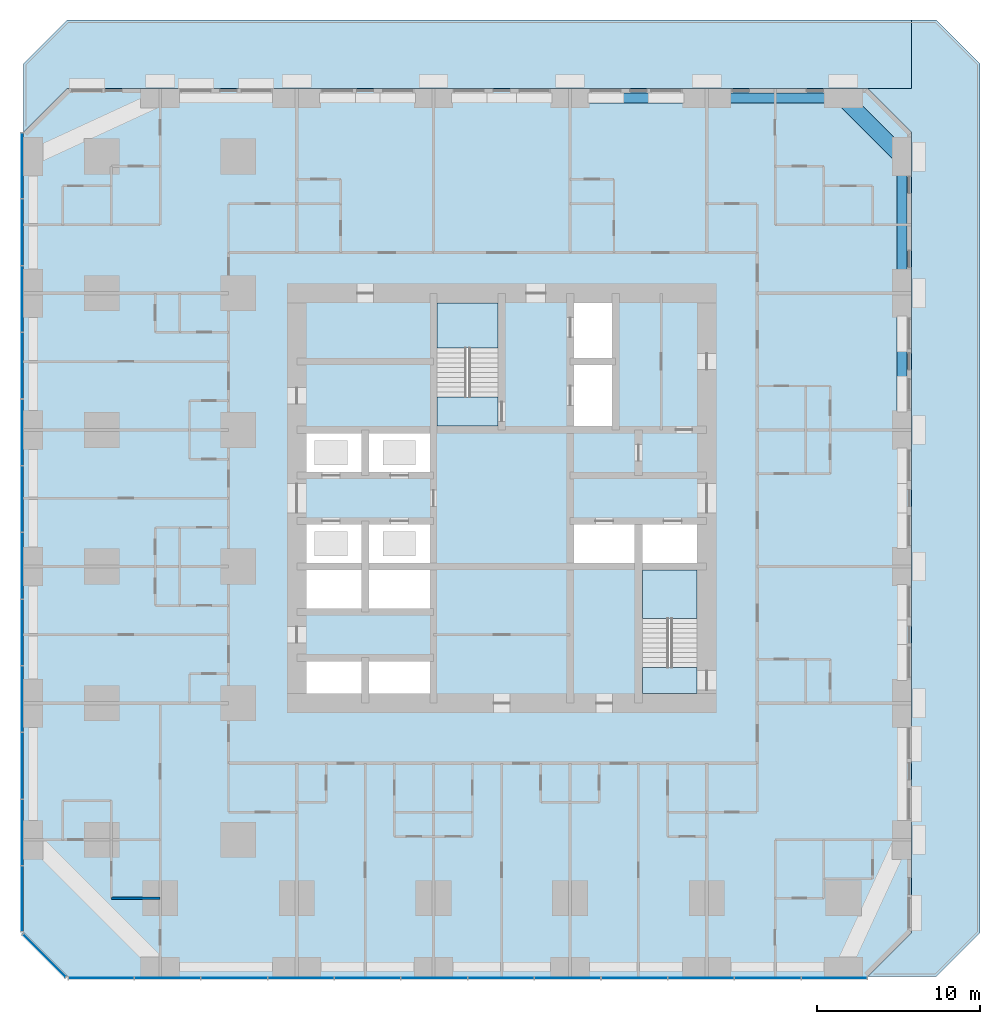
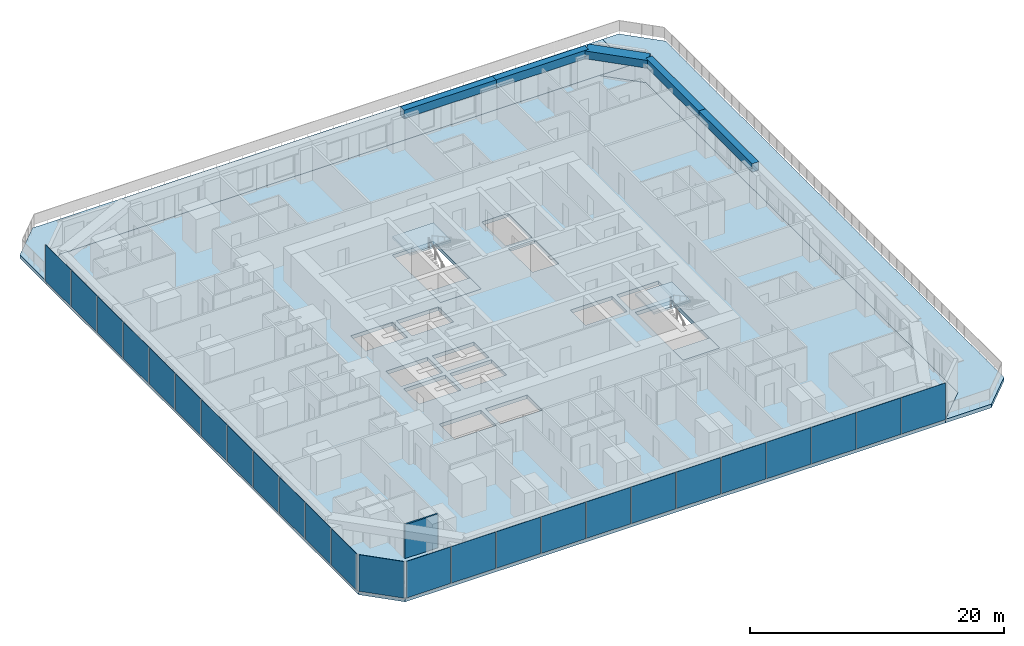
# One storey, part 6 of 16: 25 plates, 7 slabs, 5 beams, 1 wall, 5 elements without a shape of their own.
"""IFC4 building model written with IfcOpenShell, lengths in metres."""

from ifc_helpers import new_model, si_unit, direction, frame, frame_2d, origin, origin_2d, place, context, subcontext, project, spatial, polyline, rectangle, outline, extrude, material, layer, layer_set, material_profile, profile_set, type_object, element, aggregate, save


model = new_model("IFC4")

# Units and contexts
model_context = context("Model", 3, precision=1e-05, world=origin(), true_north=direction((0.0, 1.0)))
body_context = subcontext(model_context, "Body", "Model", "MODEL_VIEW")
ifc_project = project(units=[si_unit("LENGTHUNIT", "METRE"), si_unit("AREAUNIT", "SQUARE_METRE"), si_unit("VOLUMEUNIT", "CUBIC_METRE"), si_unit("PLANEANGLEUNIT", "RADIAN"), si_unit("MASSUNIT", "GRAM", prefix="KILO")], contexts=[model_context])

# Site, building, storey
site_placement = place(None, origin())
site = spatial("IfcSite", under=ifc_project, at=site_placement, CompositionType="ELEMENT")
building_placement = place(site_placement, origin())
building = spatial("IfcBuilding", under=site, at=building_placement, Name="Dunama Terrace Hotel", CompositionType="ELEMENT")
storey_placement = place(building_placement, frame((0.0, 0.0, 93.60009765625)))
storey = spatial("IfcBuildingStorey", under=building, at=storey_placement, Name="L23", CompositionType="ELEMENT", Elevation=93.60009765625)

# Beams
ifc_material_1 = material(Name="Concrete C50/60", Category="concrete")
ifc_material_profile_1 = material_profile(ifc_material_1, rectangle(XDim=1.0, YDim=0.75, at=origin_2d()), Name="RC 1000x750")
ifc_profile_set_1 = profile_set([ifc_material_profile_1], Name="Concrete C50/60")
beam_type_1 = type_object("IfcBeamType", Name="Edge beam RC 1000x750", PredefinedType="SPANDREL", material=ifc_profile_set_1)
beam_placement = place(storey_placement, frame((50.39990234375, 54.0, 3.224853515625), z_axis=(0.707106781187, -0.707106781187, 0.0), x_axis=(0.707106781187, 0.707106781187, 0.0)))
element("IfcBeam", 1, at=beam_placement, inside=storey, type_object=beam_type_1, Name="Corner edge beam under L24", PredefinedType="SPANDREL", context=body_context, shape_type="SweptSolid", body=[
    extrude(rectangle(XDim=1.0, YDim=0.75, at=origin_2d()), origin(), (0.0, 0.0, 1.0), 5.09130859375),
])
ifc_material_2 = material(Name="Concrete C40/50", Category="concrete")
ifc_material_profile_2 = material_profile(ifc_material_2, rectangle(XDim=0.60009765625, YDim=0.800048828125, at=origin_2d()), Name="RC 600x800")
ifc_profile_set_2 = profile_set([ifc_material_profile_2], Name="Concrete C40/50")
beam_type_2 = type_object("IfcBeamType", Name="Edge beam RC 600x800", PredefinedType="SPANDREL", material=ifc_profile_set_2)
for number, where, z_axis, x_axis, name in (
    (2, (54.0, 33.60009765625, 3.199951171875), (0.0, 1.0, 0.0), (-1.0, 0.0, 0.0), "Edge beam under L24"),
    (3, (54.0, 42.0, 3.199951171875), (0.0, 1.0, 0.0), (-1.0, 0.0, 0.0), "Edge beam under L24"),
    (4, (33.60009765625, 54.0, 3.199951171875), (1.0, 0.0, 0.0), (0.0, 1.0, 0.0), "Edge beam under L24"),
    (5, (42.0, 54.0, 3.199951171875), (1.0, 0.0, 0.0), (0.0, 1.0, 0.0), "Edge beam under L24"),
):
    element("IfcBeam", number, at=place(storey_placement, frame(where, z_axis=z_axis, x_axis=x_axis)), inside=storey, type_object=beam_type_2, Name=name, PredefinedType="SPANDREL", context=body_context, shape_type="SweptSolid", body=[
        extrude(rectangle(XDim=0.60009765625, YDim=0.800048828125, at=origin_2d()), origin(), (0.0, 0.0, 1.0), 8.39990234375),
    ])

# Curtain wall, plates
ifc_material_3 = material(Name="Aluminium curtain wall system", Category="aluminium")
curtain_wall_type = type_object("IfcCurtainWallType", Name="Unitised fritted glass wall CW-B", PredefinedType="NOTDEFINED", material=ifc_material_3)
curtain_wall_1_placement = place(storey_placement, origin())
curtain_wall_1 = element("IfcCurtainWall", 6, at=curtain_wall_1_placement, inside=storey, type_object=curtain_wall_type, Name="Unitised fritted glass wall CW-B L23", PredefinedType="NOTDEFINED")
ifc_material_4 = material(Name="Laminated glass", Category="glass")
ifc_layer_1 = layer(ifc_material_4, 0.030029296875)
ifc_layer_set_1 = layer_set([ifc_layer_1], Name="CWB clear glass panel")
plate_type_1 = type_object("IfcPlateType", Name="CWB clear glass panel", PredefinedType="CURTAIN_PANEL", material=ifc_layer_set_1)
plate_1_placement = place(storey_placement, frame((4.76611328125, -0.110107421875, 0.079833984375), z_axis=(0.0, 0.0, 1.0), x_axis=(1.0, 0.0, 0.0)))
plate_1 = element("IfcPlate", 7, at=plate_1_placement, type_object=plate_type_1, Name="CWB clear glass panel", PredefinedType="CURTAIN_PANEL", context=body_context, shape_type="SweptSolid", body=[
    extrude(rectangle(XDim=4.00244140625, YDim=0.030029296875, at=origin_2d()), origin(), (0.0, 0.0, 1.0), 3.52001953125),
])
plate_2_placement = place(storey_placement, frame((17.050048828125, -0.110107421875, 0.079833984375), z_axis=(0.0, 0.0, 1.0), x_axis=(1.0, 0.0, 0.0)))
plate_2 = element("IfcPlate", 8, at=plate_2_placement, type_object=plate_type_1, Name="CWB clear glass panel", PredefinedType="CURTAIN_PANEL", context=body_context, shape_type="SweptSolid", body=[
    extrude(rectangle(XDim=4.034912109375, YDim=0.030029296875, at=origin_2d()), origin(), (0.0, 0.0, 1.0), 3.52001953125),
])
plate_3_placement = place(storey_placement, frame((29.35009765625, -0.110107421875, 0.079833984375), z_axis=(0.0, 0.0, 1.0), x_axis=(1.0, 0.0, 0.0)))
plate_3 = element("IfcPlate", 9, at=plate_3_placement, type_object=plate_type_1, Name="CWB clear glass panel", PredefinedType="CURTAIN_PANEL", context=body_context, shape_type="SweptSolid", body=[
    extrude(rectangle(XDim=4.034912109375, YDim=0.030029296875, at=origin_2d()), origin(), (0.0, 0.0, 1.0), 3.52001953125),
])
plate_4_placement = place(storey_placement, frame((41.64990234375, -0.110107421875, 0.079833984375), z_axis=(0.0, 0.0, 1.0), x_axis=(1.0, 0.0, 0.0)))
plate_4 = element("IfcPlate", 10, at=plate_4_placement, type_object=plate_type_1, Name="CWB clear glass panel", PredefinedType="CURTAIN_PANEL", context=body_context, shape_type="SweptSolid", body=[
    extrude(rectangle(XDim=4.034912109375, YDim=0.030029296875, at=origin_2d()), origin(), (0.0, 0.0, 1.0), 3.52001953125),
])

curtain_wall_2_placement = place(storey_placement, origin())
curtain_wall_2 = element("IfcCurtainWall", 11, at=curtain_wall_2_placement, inside=storey, type_object=curtain_wall_type, Name="Unitised fritted glass wall CW-B L23", PredefinedType="NOTDEFINED")
plate_5_placement = place(storey_placement, frame((-0.110107421875, 49.833984375, 0.079833984375), z_axis=(0.0, 0.0, 1.0), x_axis=(0.0, -1.0, 0.0)))
plate_5 = element("IfcPlate", 12, at=plate_5_placement, type_object=plate_type_1, Name="CWB clear glass panel", PredefinedType="CURTAIN_PANEL", context=body_context, shape_type="SweptSolid", body=[
    extrude(rectangle(XDim=4.00244140625, YDim=0.030029296875, at=origin_2d()), origin(), (0.0, 0.0, 1.0), 3.52001953125),
])
plate_6_placement = place(storey_placement, frame((-0.110107421875, 37.550048828125, 0.079833984375), z_axis=(0.0, 0.0, 1.0), x_axis=(0.0, -1.0, 0.0)))
plate_6 = element("IfcPlate", 13, at=plate_6_placement, type_object=plate_type_1, Name="CWB clear glass panel", PredefinedType="CURTAIN_PANEL", context=body_context, shape_type="SweptSolid", body=[
    extrude(rectangle(XDim=4.034912109375, YDim=0.030029296875, at=origin_2d()), origin(), (0.0, 0.0, 1.0), 3.52001953125),
])
plate_7_placement = place(storey_placement, frame((-0.110107421875, 25.25, 0.079833984375), z_axis=(0.0, 0.0, 1.0), x_axis=(0.0, -1.0, 0.0)))
plate_7 = element("IfcPlate", 14, at=plate_7_placement, type_object=plate_type_1, Name="CWB clear glass panel", PredefinedType="CURTAIN_PANEL", context=body_context, shape_type="SweptSolid", body=[
    extrude(rectangle(XDim=4.034912109375, YDim=0.030029296875, at=origin_2d()), origin(), (0.0, 0.0, 1.0), 3.52001953125),
])
plate_8_placement = place(storey_placement, frame((-0.110107421875, 12.949951171875, 0.079833984375), z_axis=(0.0, 0.0, 1.0), x_axis=(0.0, -1.0, 0.0)))
plate_8 = element("IfcPlate", 15, at=plate_8_placement, type_object=plate_type_1, Name="CWB clear glass panel", PredefinedType="CURTAIN_PANEL", context=body_context, shape_type="SweptSolid", body=[
    extrude(rectangle(XDim=4.034912109375, YDim=0.030029296875, at=origin_2d()), origin(), (0.0, 0.0, 1.0), 3.52001953125),
])

# Curtain wall, plate
curtain_wall_3_placement = place(storey_placement, origin())
curtain_wall_3 = element("IfcCurtainWall", 16, at=curtain_wall_3_placement, inside=storey, type_object=curtain_wall_type, Name="Unitised fritted glass wall CW-B L23", PredefinedType="NOTDEFINED")
plate_9_placement = place(storey_placement, frame((1.27197265625, 1.27197265625, 0.079833984375), z_axis=(0.0, 0.0, 1.0), x_axis=(0.707106781187, -0.707106781187, 0.0)))
plate_9 = element("IfcPlate", 17, at=plate_9_placement, type_object=plate_type_1, Name="CWB clear glass panel", PredefinedType="CURTAIN_PANEL", context=body_context, shape_type="SweptSolid", body=[
    extrude(rectangle(XDim=3.6884765625, YDim=0.030029296875, at=origin_2d()), origin(), (0.0, 0.0, 1.0), 3.52001953125),
])
aggregate(curtain_wall_3, [plate_9])

# Plate
ifc_material_5 = material(Name="Fritted laminated glass", Category="glass")
ifc_layer_2 = layer(ifc_material_5, 0.030029296875)
ifc_layer_set_2 = layer_set([ifc_layer_2], Name="CWB fritted glass panel")
plate_type_2 = type_object("IfcPlateType", Name="CWB fritted glass panel", PredefinedType="CURTAIN_PANEL", material=ifc_layer_set_2)
plate_10_placement = place(storey_placement, frame((12.949951171875, -0.110107421875, 0.079833984375), z_axis=(0.0, 0.0, 1.0), x_axis=(1.0, 0.0, 0.0)))
plate_10 = element("IfcPlate", 18, at=plate_10_placement, type_object=plate_type_2, Name="CWB fritted glass panel", PredefinedType="CURTAIN_PANEL", context=body_context, shape_type="SweptSolid", body=[
    extrude(rectangle(XDim=4.034912109375, YDim=0.030029296875, at=origin_2d()), origin(), (0.0, 0.0, 1.0), 3.52001953125),
])

plate_11_placement = place(storey_placement, frame((25.25, -0.110107421875, 0.079833984375), z_axis=(0.0, 0.0, 1.0), x_axis=(1.0, 0.0, 0.0)))
plate_11 = element("IfcPlate", 19, at=plate_11_placement, type_object=plate_type_2, Name="CWB fritted glass panel", PredefinedType="CURTAIN_PANEL", context=body_context, shape_type="SweptSolid", body=[
    extrude(rectangle(XDim=4.034912109375, YDim=0.030029296875, at=origin_2d()), origin(), (0.0, 0.0, 1.0), 3.52001953125),
])

plate_12_placement = place(storey_placement, frame((37.550048828125, -0.110107421875, 0.079833984375), z_axis=(0.0, 0.0, 1.0), x_axis=(1.0, 0.0, 0.0)))
plate_12 = element("IfcPlate", 20, at=plate_12_placement, type_object=plate_type_2, Name="CWB fritted glass panel", PredefinedType="CURTAIN_PANEL", context=body_context, shape_type="SweptSolid", body=[
    extrude(rectangle(XDim=4.034912109375, YDim=0.030029296875, at=origin_2d()), origin(), (0.0, 0.0, 1.0), 3.52001953125),
])

plate_13_placement = place(storey_placement, frame((49.833984375, -0.110107421875, 0.079833984375), z_axis=(0.0, 0.0, 1.0), x_axis=(1.0, 0.0, 0.0)))
plate_13 = element("IfcPlate", 21, at=plate_13_placement, type_object=plate_type_2, Name="CWB fritted glass panel", PredefinedType="CURTAIN_PANEL", context=body_context, shape_type="SweptSolid", body=[
    extrude(rectangle(XDim=4.00244140625, YDim=0.030029296875, at=origin_2d()), origin(), (0.0, 0.0, 1.0), 3.52001953125),
])

plate_14_placement = place(storey_placement, frame((-0.110107421875, 41.64990234375, 0.079833984375), z_axis=(0.0, 0.0, 1.0), x_axis=(0.0, -1.0, 0.0)))
plate_14 = element("IfcPlate", 22, at=plate_14_placement, type_object=plate_type_2, Name="CWB fritted glass panel", PredefinedType="CURTAIN_PANEL", context=body_context, shape_type="SweptSolid", body=[
    extrude(rectangle(XDim=4.034912109375, YDim=0.030029296875, at=origin_2d()), origin(), (0.0, 0.0, 1.0), 3.52001953125),
])

plate_15_placement = place(storey_placement, frame((-0.110107421875, 29.35009765625, 0.079833984375), z_axis=(0.0, 0.0, 1.0), x_axis=(0.0, -1.0, 0.0)))
plate_15 = element("IfcPlate", 23, at=plate_15_placement, type_object=plate_type_2, Name="CWB fritted glass panel", PredefinedType="CURTAIN_PANEL", context=body_context, shape_type="SweptSolid", body=[
    extrude(rectangle(XDim=4.034912109375, YDim=0.030029296875, at=origin_2d()), origin(), (0.0, 0.0, 1.0), 3.52001953125),
])

plate_16_placement = place(storey_placement, frame((-0.110107421875, 17.050048828125, 0.079833984375), z_axis=(0.0, 0.0, 1.0), x_axis=(0.0, -1.0, 0.0)))
plate_16 = element("IfcPlate", 24, at=plate_16_placement, type_object=plate_type_2, Name="CWB fritted glass panel", PredefinedType="CURTAIN_PANEL", context=body_context, shape_type="SweptSolid", body=[
    extrude(rectangle(XDim=4.034912109375, YDim=0.030029296875, at=origin_2d()), origin(), (0.0, 0.0, 1.0), 3.52001953125),
])

plate_17_placement = place(storey_placement, frame((-0.110107421875, 4.76611328125, 0.079833984375), z_axis=(0.0, 0.0, 1.0), x_axis=(0.0, -1.0, 0.0)))
plate_17 = element("IfcPlate", 25, at=plate_17_placement, type_object=plate_type_2, Name="CWB fritted glass panel", PredefinedType="CURTAIN_PANEL", context=body_context, shape_type="SweptSolid", body=[
    extrude(rectangle(XDim=4.00244140625, YDim=0.030029296875, at=origin_2d()), origin(), (0.0, 0.0, 1.0), 3.52001953125),
])

ifc_material_6 = material(Name="Laminated glass", Category="glass")
ifc_layer_3 = layer(ifc_material_6, 0.030029296875)
ifc_layer_set_3 = layer_set([ifc_layer_3], Name="CWB operable glass panel")
plate_type_3 = type_object("IfcPlateType", Name="CWB operable glass panel", PredefinedType="CURTAIN_PANEL", material=ifc_layer_set_3)
plate_18_placement = place(storey_placement, frame((8.85009765625, -0.110107421875, 0.079833984375), z_axis=(0.0, 0.0, 1.0), x_axis=(1.0, 0.0, 0.0)))
plate_18 = element("IfcPlate", 26, at=plate_18_placement, type_object=plate_type_3, Name="CWB operable glass panel", PredefinedType="CURTAIN_PANEL", context=body_context, shape_type="SweptSolid", body=[
    extrude(rectangle(XDim=4.034912109375, YDim=0.030029296875, at=origin_2d()), origin(), (0.0, 0.0, 1.0), 3.52001953125),
])

plate_19_placement = place(storey_placement, frame((21.14990234375, -0.110107421875, 0.079833984375), z_axis=(0.0, 0.0, 1.0), x_axis=(1.0, 0.0, 0.0)))
plate_19 = element("IfcPlate", 27, at=plate_19_placement, type_object=plate_type_3, Name="CWB operable glass panel", PredefinedType="CURTAIN_PANEL", context=body_context, shape_type="SweptSolid", body=[
    extrude(rectangle(XDim=4.034912109375, YDim=0.030029296875, at=origin_2d()), origin(), (0.0, 0.0, 1.0), 3.52001953125),
])

plate_20_placement = place(storey_placement, frame((33.449951171875, -0.110107421875, 0.079833984375), z_axis=(0.0, 0.0, 1.0), x_axis=(1.0, 0.0, 0.0)))
plate_20 = element("IfcPlate", 28, at=plate_20_placement, type_object=plate_type_3, Name="CWB operable glass panel", PredefinedType="CURTAIN_PANEL", context=body_context, shape_type="SweptSolid", body=[
    extrude(rectangle(XDim=4.034912109375, YDim=0.030029296875, at=origin_2d()), origin(), (0.0, 0.0, 1.0), 3.52001953125),
])

plate_21_placement = place(storey_placement, frame((45.75, -0.110107421875, 0.079833984375), z_axis=(0.0, 0.0, 1.0), x_axis=(1.0, 0.0, 0.0)))
plate_21 = element("IfcPlate", 29, at=plate_21_placement, type_object=plate_type_3, Name="CWB operable glass panel", PredefinedType="CURTAIN_PANEL", context=body_context, shape_type="SweptSolid", body=[
    extrude(rectangle(XDim=4.034912109375, YDim=0.030029296875, at=origin_2d()), origin(), (0.0, 0.0, 1.0), 3.52001953125),
])

aggregate(curtain_wall_1, [plate_1, plate_18, plate_10, plate_2, plate_19, plate_11, plate_3, plate_20, plate_12, plate_4, plate_21, plate_13])

plate_22_placement = place(storey_placement, frame((-0.110107421875, 45.75, 0.079833984375), z_axis=(0.0, 0.0, 1.0), x_axis=(0.0, -1.0, 0.0)))
plate_22 = element("IfcPlate", 30, at=plate_22_placement, type_object=plate_type_3, Name="CWB operable glass panel", PredefinedType="CURTAIN_PANEL", context=body_context, shape_type="SweptSolid", body=[
    extrude(rectangle(XDim=4.034912109375, YDim=0.030029296875, at=origin_2d()), origin(), (0.0, 0.0, 1.0), 3.52001953125),
])

plate_23_placement = place(storey_placement, frame((-0.110107421875, 33.449951171875, 0.079833984375), z_axis=(0.0, 0.0, 1.0), x_axis=(0.0, -1.0, 0.0)))
plate_23 = element("IfcPlate", 31, at=plate_23_placement, type_object=plate_type_3, Name="CWB operable glass panel", PredefinedType="CURTAIN_PANEL", context=body_context, shape_type="SweptSolid", body=[
    extrude(rectangle(XDim=4.034912109375, YDim=0.030029296875, at=origin_2d()), origin(), (0.0, 0.0, 1.0), 3.52001953125),
])

plate_24_placement = place(storey_placement, frame((-0.110107421875, 21.14990234375, 0.079833984375), z_axis=(0.0, 0.0, 1.0), x_axis=(0.0, -1.0, 0.0)))
plate_24 = element("IfcPlate", 32, at=plate_24_placement, type_object=plate_type_3, Name="CWB operable glass panel", PredefinedType="CURTAIN_PANEL", context=body_context, shape_type="SweptSolid", body=[
    extrude(rectangle(XDim=4.034912109375, YDim=0.030029296875, at=origin_2d()), origin(), (0.0, 0.0, 1.0), 3.52001953125),
])

plate_25_placement = place(storey_placement, frame((-0.110107421875, 8.85009765625, 0.079833984375), z_axis=(0.0, 0.0, 1.0), x_axis=(0.0, -1.0, 0.0)))
plate_25 = element("IfcPlate", 33, at=plate_25_placement, type_object=plate_type_3, Name="CWB operable glass panel", PredefinedType="CURTAIN_PANEL", context=body_context, shape_type="SweptSolid", body=[
    extrude(rectangle(XDim=4.034912109375, YDim=0.030029296875, at=origin_2d()), origin(), (0.0, 0.0, 1.0), 3.52001953125),
])

aggregate(curtain_wall_2, [plate_5, plate_22, plate_14, plate_6, plate_23, plate_15, plate_7, plate_24, plate_16, plate_8, plate_25, plate_17])

# Slab
ifc_material_7 = material(Name="Concrete C40/50", Category="concrete")
ifc_layer_4 = layer(ifc_material_7, 0.35009765625)
ifc_layer_set_4 = layer_set([ifc_layer_4], Name="Flat plate 350")
slab_type_1 = type_object("IfcSlabType", Name="Flat plate 350", PredefinedType="FLOOR", material=ifc_layer_set_4)
slab_1_placement = place(storey_placement, frame((0.0, 0.0, -0.35009765625)))
element("IfcSlab", 34, at=slab_1_placement, inside=storey, type_object=slab_type_1, Name="Floor slab L23", PredefinedType="FLOOR", context=body_context, shape_type="SweptSolid", body=[
    extrude(outline(polyline([(2.699951171875, 0.0), (51.89990234375, 0.0), (54.60009765625, 2.699951171875), (54.60009765625, 51.89990234375), (51.89990234375, 54.60009765625), (2.699951171875, 54.60009765625), (0.0, 51.89990234375), (0.0, 2.699951171875), (2.699951171875, 0.0)]), holes=[polyline([(37.60009765625, 25.39990234375), (37.60009765625, 27.800048828125), (33.800048828125, 27.800048828125), (33.800048828125, 25.39990234375), (37.60009765625, 25.39990234375)]), polyline([(41.800048828125, 25.39990234375), (41.800048828125, 27.800048828125), (38.0, 27.800048828125), (38.0, 25.39990234375), (41.800048828125, 25.39990234375)]), polyline([(20.800048828125, 17.0), (20.800048828125, 19.39990234375), (17.0, 19.39990234375), (17.0, 17.0), (20.800048828125, 17.0)]), polyline([(25.0, 17.0), (25.0, 19.39990234375), (21.199951171875, 19.39990234375), (21.199951171875, 17.0), (25.0, 17.0)]), polyline([(20.800048828125, 22.60009765625), (20.800048828125, 25.0), (17.0, 25.0), (17.0, 22.60009765625), (20.800048828125, 22.60009765625)]), polyline([(25.0, 22.60009765625), (25.0, 25.0), (21.199951171875, 25.0), (21.199951171875, 22.60009765625), (25.0, 22.60009765625)]), polyline([(20.800048828125, 25.39990234375), (20.800048828125, 27.800048828125), (17.0, 27.800048828125), (17.0, 25.39990234375), (20.800048828125, 25.39990234375)]), polyline([(25.0, 25.39990234375), (25.0, 27.800048828125), (21.199951171875, 27.800048828125), (21.199951171875, 25.39990234375), (25.0, 25.39990234375)]), polyline([(20.800048828125, 31.0), (20.800048828125, 33.39990234375), (17.0, 33.39990234375), (17.0, 31.0), (20.800048828125, 31.0)]), polyline([(25.0, 31.0), (25.0, 33.39990234375), (21.199951171875, 33.39990234375), (21.199951171875, 31.0), (25.0, 31.0)]), polyline([(36.199951171875, 38.0), (36.199951171875, 41.800048828125), (33.800048828125, 41.800048828125), (33.800048828125, 38.0), (36.199951171875, 38.0)]), polyline([(36.199951171875, 33.800048828125), (36.199951171875, 37.60009765625), (33.800048828125, 37.60009765625), (33.800048828125, 33.800048828125), (36.199951171875, 33.800048828125)]), polyline([(29.175048828125, 33.824951171875), (29.175048828125, 41.39990234375), (25.425048828125, 41.39990234375), (25.425048828125, 33.824951171875), (29.175048828125, 33.824951171875)]), polyline([(41.39990234375, 17.39990234375), (41.39990234375, 24.97509765625), (38.050048828125, 24.97509765625), (38.050048828125, 17.39990234375), (41.39990234375, 17.39990234375)])]), origin(), (0.0, 0.0, 1.0), 0.35009765625),
])

# Stair, slabs
ifc_material_8 = material(Name="Concrete C40/50", Category="concrete")
stair_type_1 = type_object("IfcStairType", Name="Stair ST1-3600-1800", PredefinedType="HALF_TURN_STAIR", material=ifc_material_8)
stair_1_placement = place(storey_placement, origin())
stair_1 = element("IfcStair", 35, at=stair_1_placement, inside=storey, type_object=stair_type_1, Name="Stair ST1 L23", PredefinedType="HALF_TURN_STAIR")
ifc_material_9 = material(Name="Concrete C40/50", Category="concrete")
ifc_layer_5 = layer(ifc_material_9, 0.199951171875)
ifc_layer_set_5 = layer_set([ifc_layer_5], Name="Stair landing 200")
slab_type_2 = type_object("IfcSlabType", Name="Stair landing 200", PredefinedType="LANDING", material=ifc_layer_set_5)
slab_2_placement = place(storey_placement, frame((0.0, 0.0, -0.2001953125)))
slab_2 = element("IfcSlab", 36, at=slab_2_placement, type_object=slab_type_2, Name="ST1 landing 1, type S10", PredefinedType="LANDING", context=body_context, shape_type="SweptSolid", body=[
    extrude(outline(polyline([(25.425048828125, 33.824951171875), (29.175048828125, 33.824951171875), (29.175048828125, 35.625), (25.425048828125, 35.625), (25.425048828125, 33.824951171875)])), origin(), (0.0, 0.0, 1.0), 0.2001953125),
])
slab_3_placement = place(storey_placement, frame((0.0, 0.0, 1.599853515625)))
slab_3 = element("IfcSlab", 37, at=slab_3_placement, type_object=slab_type_2, Name="ST1 landing 2, type S10", PredefinedType="LANDING", context=body_context, shape_type="SweptSolid", body=[
    extrude(outline(polyline([(25.425048828125, 38.625), (29.175048828125, 38.625), (29.175048828125, 41.39990234375), (25.425048828125, 41.39990234375), (25.425048828125, 38.625)])), origin(), (0.0, 0.0, 1.0), 0.199951171875),
])
aggregate(stair_1, [slab_2, slab_3])

ifc_material_10 = material(Name="Concrete C40/50", Category="concrete")
stair_type_2 = type_object("IfcStairType", Name="Stair ST2-3600-1600", PredefinedType="HALF_TURN_STAIR", material=ifc_material_10)
stair_2_placement = place(storey_placement, origin())
stair_2 = element("IfcStair", 38, at=stair_2_placement, inside=storey, type_object=stair_type_2, Name="Stair ST2 L23", PredefinedType="HALF_TURN_STAIR")
slab_4_placement = place(storey_placement, frame((0.0, 0.0, -0.2001953125)))
slab_4 = element("IfcSlab", 39, at=slab_4_placement, type_object=slab_type_2, Name="ST2 landing 1, type S10", PredefinedType="LANDING", context=body_context, shape_type="SweptSolid", body=[
    extrude(outline(polyline([(38.050048828125, 17.39990234375), (41.39990234375, 17.39990234375), (41.39990234375, 19.0), (38.050048828125, 19.0), (38.050048828125, 17.39990234375)])), origin(), (0.0, 0.0, 1.0), 0.2001953125),
])
slab_5_placement = place(storey_placement, frame((0.0, 0.0, 1.599853515625)))
slab_5 = element("IfcSlab", 40, at=slab_5_placement, type_object=slab_type_2, Name="ST2 landing 2, type S10", PredefinedType="LANDING", context=body_context, shape_type="SweptSolid", body=[
    extrude(outline(polyline([(38.050048828125, 22.0), (41.39990234375, 22.0), (41.39990234375, 24.97509765625), (38.050048828125, 24.97509765625), (38.050048828125, 22.0)])), origin(), (0.0, 0.0, 1.0), 0.199951171875),
])
aggregate(stair_2, [slab_4, slab_5])

# Slabs
ifc_material_11 = material(Name="Concrete C40/50", Category="concrete")
ifc_layer_6 = layer(ifc_material_11, 0.35009765625)
ifc_layer_set_6 = layer_set([ifc_layer_6], Name="Terrace slab 350")
slab_type_3 = type_object("IfcSlabType", Name="Terrace slab 350", PredefinedType="FLOOR", material=ifc_layer_set_6)
slab_6_placement = place(storey_placement, frame((0.0, 0.0, -0.35009765625)))
element("IfcSlab", 41, at=slab_6_placement, inside=storey, type_object=slab_type_3, Name="Planted terrace slab", PredefinedType="FLOOR", context=body_context, shape_type="SweptSolid", body=[
    extrude(outline(polyline([(58.800048828125, 2.699951171875), (56.10009765625, 0.0), (54.60009765625, 0.0), (51.89990234375, 0.0), (54.60009765625, 2.699951171875), (54.60009765625, 51.89990234375), (51.89990234375, 54.60009765625), (54.60009765625, 54.60009765625), (54.60009765625, 58.800048828125), (56.10009765625, 58.800048828125), (58.800048828125, 56.10009765625), (58.800048828125, 2.699951171875)])), origin(), (0.0, 0.0, 1.0), 0.35009765625),
])
slab_7_placement = place(storey_placement, frame((0.0, 0.0, -0.35009765625)))
element("IfcSlab", 42, at=slab_7_placement, inside=storey, type_object=slab_type_3, Name="Planted terrace slab", PredefinedType="FLOOR", context=body_context, shape_type="SweptSolid", body=[
    extrude(outline(polyline([(51.89990234375, 54.60009765625), (2.699951171875, 54.60009765625), (0.0, 51.89990234375), (0.0, 54.60009765625), (0.0, 56.10009765625), (2.699951171875, 58.800048828125), (54.60009765625, 58.800048828125), (54.60009765625, 54.60009765625), (51.89990234375, 54.60009765625)])), origin(), (0.0, 0.0, 1.0), 0.35009765625),
])

# Wall
ifc_material_12 = material(Name="Gypsum board partition", Category="masonry")
ifc_layer_7 = layer(ifc_material_12, 0.14990234375)
ifc_layer_set_7 = layer_set([ifc_layer_7], Name="Bathroom partition 150")
wall_type = type_object("IfcWallType", Name="Bathroom partition 150", PredefinedType="PARTITIONING", material=ifc_layer_set_7)
wall_placement = place(storey_placement, frame((5.39990234375, 4.800048828125, 0.0), z_axis=(0.0, 0.0, 1.0), x_axis=(1.0, 0.0, 0.0)))
element("IfcWall", 43, at=wall_placement, inside=storey, type_object=wall_type, Name="Bathroom partition 150 L23", PredefinedType="PARTITIONING", context=body_context, shape_type="SweptSolid", body=[
    extrude(rectangle(XDim=3.0, YDim=0.14990234375, at=frame_2d((1.5, 0.0))), origin(), (0.0, 0.0, 1.0), 3.25),
])

save(model, "model.ifc")
